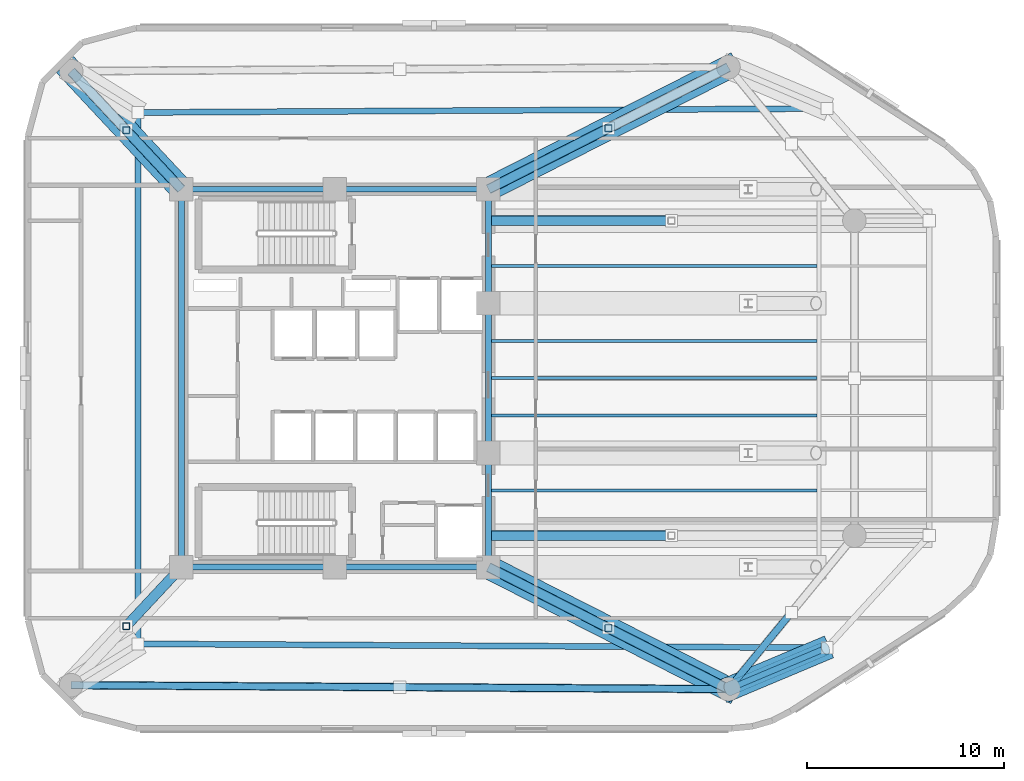
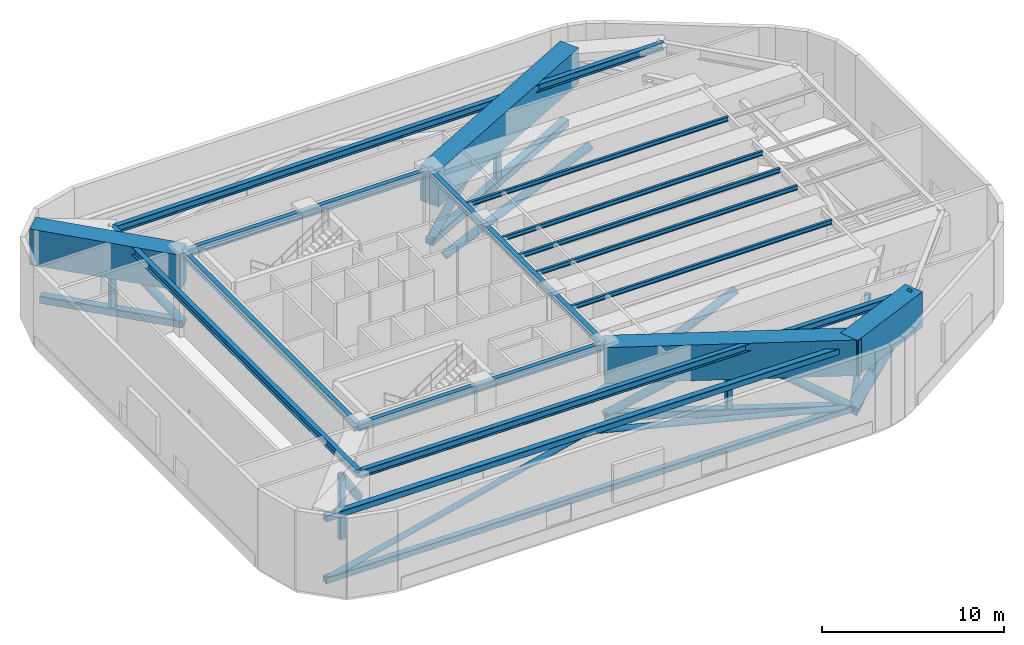
# One storey, part 2 of 9: 20 members, 19 beams.
"""IFC4 building model written with IfcOpenShell, lengths in metres."""

from ifc_helpers import new_model, si_unit, direction, frame, origin, origin_2d, place, context, subcontext, project, spatial, rectangle, hollow_rectangle, hollow_circle, i_section, extrude, material, material_profile, profile_set, type_object, element, save


model = new_model("IFC4")

# Units and contexts
model_context = context("Model", 3, precision=1e-05, world=origin(), true_north=direction((0.0, 1.0)))
body_context = subcontext(model_context, "Body", "Model", "MODEL_VIEW")
ifc_project = project(units=[si_unit("LENGTHUNIT", "METRE"), si_unit("AREAUNIT", "SQUARE_METRE"), si_unit("VOLUMEUNIT", "CUBIC_METRE"), si_unit("PLANEANGLEUNIT", "RADIAN"), si_unit("MASSUNIT", "GRAM", prefix="KILO")], contexts=[model_context])

# Site, building, storey
site_placement = place(None, origin())
site = spatial("IfcSite", under=ifc_project, at=site_placement, CompositionType="ELEMENT")
building_placement = place(site_placement, origin())
building = spatial("IfcBuilding", under=site, at=building_placement, Name="An Khanh Terracotta Commons", CompositionType="ELEMENT")
storey_placement = place(building_placement, frame((0.0, 0.0, 190.60009765625)))
storey = spatial("IfcBuildingStorey", under=building, at=storey_placement, Name="L50", CompositionType="ELEMENT", Elevation=190.60009765625)

# Members
ifc_material_1 = material(Name="Steel S460ML", Category="steel")
ifc_material_profile_1 = material_profile(ifc_material_1, hollow_rectangle(XDim=0.39990234375, YDim=0.39990234375, WallThickness=0.02001953125, InnerFilletRadius=0.02001953125, OuterFilletRadius=0.0400390625, at=origin_2d()), Name="SHS400x400x20")
ifc_profile_set_1 = profile_set([ifc_material_profile_1], Name="Steel S460ML")
member_type_1 = type_object("IfcMemberType", Name="BELT-CHORD-SHS400", PredefinedType="CHORD", material=ifc_profile_set_1)
for number, where, z_axis, x_axis, name in (
    (1, (16.0, 8.39990234375, 0.449951171875), (0.999982080914, -0.005986472262, 0.0), (0.005986472262, 0.999982080914, 0.0), "L50 Belt-Truss Bottom Chord 1"),
    (2, (16.0, 8.39990234375, 4.60986328125), (0.999982080914, -0.005986472262, 0.0), (0.005986472262, 0.999982080914, 0.0), "L50 Belt-Truss Top Chord 1"),
):
    element("IfcMember", number, at=place(storey_placement, frame(where, z_axis=z_axis, x_axis=x_axis)), inside=storey, type_object=member_type_1, Name=name, PredefinedType="CHORD", context=body_context, shape_type="SweptSolid", body=[
        extrude(hollow_rectangle(XDim=0.39990234375, YDim=0.39990234375, WallThickness=0.02001953125, InnerFilletRadius=0.02001953125, OuterFilletRadius=0.0400390625, at=origin_2d()), origin(), (0.0, 0.0, 1.0), 33.400390625),
    ])
ifc_material_profile_2 = material_profile(ifc_material_1, hollow_rectangle(XDim=0.5, YDim=0.5, WallThickness=0.02490234375, InnerFilletRadius=0.02490234375, OuterFilletRadius=0.050048828125, at=origin_2d()), Name="SHS500x500x25")
ifc_profile_set_2 = profile_set([ifc_material_profile_2], Name="Steel S460ML")
member_type_2 = type_object("IfcMemberType", Name="BELT-CHORD-SHS500", PredefinedType="CHORD", material=ifc_profile_set_2)
for number, where, z_axis, x_axis, name in (
    (3, (37.199951171875, 14.39990234375, 0.449951171875), (0.891485893746, -0.453048453537, 0.0), (0.453048453537, 0.891485893746, 0.0), "L50 Outrigger Bottom Chord 2"),
    (4, (37.199951171875, 33.60009765625, 0.449951171875), (0.891485893746, 0.453048453537, 0.0), (-0.453048453537, 0.891485893746, 0.0), "L50 Outrigger Bottom Chord 5"),
):
    element("IfcMember", number, at=place(storey_placement, frame(where, z_axis=z_axis, x_axis=x_axis)), inside=storey, type_object=member_type_2, Name=name, PredefinedType="CHORD", context=body_context, shape_type="SweptSolid", body=[
        extrude(hollow_rectangle(XDim=0.5, YDim=0.5, WallThickness=0.02490234375, InnerFilletRadius=0.02490234375, OuterFilletRadius=0.050048828125, at=origin_2d()), origin(), (0.0, 0.0, 1.0), 13.68505859375),
    ])
member_1_placement = place(storey_placement, frame((21.60009765625, 33.60009765625, 0.449951171875), z_axis=(-0.682324609438, 0.731049333052, 0.0), x_axis=(-0.731049333052, -0.682324609438, 0.0)))
element("IfcMember", 5, at=member_1_placement, inside=storey, type_object=member_type_2, Name="L50 Outrigger Bottom Chord 6", PredefinedType="CHORD", context=body_context, shape_type="SweptSolid", body=[
    extrude(hollow_rectangle(XDim=0.5, YDim=0.5, WallThickness=0.02490234375, InnerFilletRadius=0.02490234375, OuterFilletRadius=0.050048828125, at=origin_2d()), origin(), (0.0, 0.0, 1.0), 8.207275390625),
])
ifc_material_profile_3 = material_profile(ifc_material_1, hollow_circle(Radius=0.177734375, WallThickness=0.01611328125, at=origin_2d()), Name="CHS355.6x16")
ifc_profile_set_3 = profile_set([ifc_material_profile_3], Name="Steel S460ML")
member_type_3 = type_object("IfcMemberType", Name="BELT-DIAG-CHS355", PredefinedType="BRACE", material=ifc_profile_set_3)
for number, where, z_axis, x_axis, name in (
    (6, (16.0, 8.39990234375, 0.449951171875), (0.970331928564, -0.005801876508, 0.241707026458), (0.005979163033, 0.999982124645, 0.0), "L50 Belt-Truss Web Diagonal 1A"),
    (7, (49.39990234375, 8.199951171875, 0.449951171875), (-0.970331848605, 0.005816061546, 0.24170700654), (-0.005993781489, -0.99998203713, 0.0), "L50 Belt-Truss Web Diagonal 1B"),
):
    element("IfcMember", number, at=place(storey_placement, frame(where, z_axis=z_axis, x_axis=x_axis)), inside=storey, type_object=member_type_3, Name=name, PredefinedType="BRACE", context=body_context, shape_type="SweptSolid", body=[
        extrude(hollow_circle(Radius=0.177734375, WallThickness=0.01611328125, at=origin_2d()), origin(), (0.0, 0.0, 1.0), 17.21044921875),
    ])
member_2_placement = place(storey_placement, frame((49.39990234375, 8.199951171875, 0.449951171875), z_axis=(0.489408541079, 0.596452658204, 0.636178832122), x_axis=(-0.773066068812, 0.634325510484, 0.0)))
element("IfcMember", 8, at=member_2_placement, inside=storey, type_object=member_type_3, Name="L50 Belt-Truss Web Diagonal 2A", PredefinedType="BRACE", context=body_context, shape_type="SweptSolid", body=[
    extrude(hollow_circle(Radius=0.177734375, WallThickness=0.01611328125, at=origin_2d()), origin(), (0.0, 0.0, 1.0), 6.538818359375),
])
ifc_material_profile_4 = material_profile(ifc_material_1, hollow_rectangle(XDim=0.35009765625, YDim=0.35009765625, WallThickness=0.01611328125, InnerFilletRadius=0.01611328125, OuterFilletRadius=0.031982421875, at=origin_2d()), Name="SHS350x350x16")
ifc_profile_set_4 = profile_set([ifc_material_profile_4], Name="Steel S460ML")
member_type_4 = type_object("IfcMemberType", Name="BELT-STRUT-SHS350", PredefinedType="STRUT", material=ifc_profile_set_4)
for number, where, z_axis, x_axis, name in (
    (9, (18.800048828125, 11.39990234375, 0.449951171875), (0.0, 0.0, 1.0), (1.0, 0.0, 0.0), "L50 Outrigger Vertical Post 1"),
    (10, (43.300048828125, 11.300048828125, 0.449951171875), (0.0, 0.0, 1.0), (1.0, 0.0, 0.0), "L50 Outrigger Vertical Post 2"),
    (11, (43.300048828125, 36.699951171875, 0.449951171875), (0.0, 0.0, 1.0), (1.0, 0.0, 0.0), "L50 Outrigger Vertical Post 5"),
    (12, (18.800048828125, 36.60009765625, 0.449951171875), (0.0, 0.0, 1.0), (1.0, 0.0, 0.0), "L50 Outrigger Vertical Post 6"),
):
    element("IfcMember", number, at=place(storey_placement, frame(where, z_axis=z_axis, x_axis=x_axis)), inside=storey, type_object=member_type_4, Name=name, PredefinedType="STRUT", context=body_context, shape_type="SweptSolid", body=[
        extrude(hollow_rectangle(XDim=0.35009765625, YDim=0.35009765625, WallThickness=0.01611328125, InnerFilletRadius=0.01611328125, OuterFilletRadius=0.031982421875, at=origin_2d()), origin(), (0.0, 0.0, 1.0), 4.159912109375),
    ])

# Beams
ifc_material_2 = material(Name="Steel S355J2", Category="steel")
ifc_material_profile_5 = material_profile(ifc_material_2, i_section(OverallWidth=0.300048828125, OverallDepth=0.449951171875, WebThickness=0.013916015625, FlangeThickness=0.02587890625, FilletRadius=0.027099609375, at=origin_2d()), Name="HEB450")
ifc_profile_set_5 = profile_set([ifc_material_profile_5], Name="Steel S355J2")
beam_type_1 = type_object("IfcBeamType", Name="BM-HEB450", PredefinedType="BEAM", material=ifc_profile_set_5)
beam_1_placement = place(storey_placement, frame((37.199951171875, 14.39990234375, 5.135009765625), z_axis=(0.0, 1.0, 0.0), x_axis=(-1.0, 0.0, 0.0)))
element("IfcBeam", 13, at=beam_1_placement, inside=storey, type_object=beam_type_1, Name="L50 Core East Coupling Girder 1", PredefinedType="BEAM", context=body_context, shape_type="SweptSolid", body=[
    extrude(i_section(OverallWidth=0.300048828125, OverallDepth=0.449951171875, WebThickness=0.013916015625, FlangeThickness=0.02587890625, FilletRadius=0.027099609375, at=origin_2d()), origin(), (0.0, 0.0, 1.0), 5.800048828125),
])
beam_2_placement = place(storey_placement, frame((37.199951171875, 20.199951171875, 5.135009765625), z_axis=(0.0, 1.0, 0.0), x_axis=(-1.0, 0.0, 0.0)))
element("IfcBeam", 14, at=beam_2_placement, inside=storey, type_object=beam_type_1, Name="L50 Core East Coupling Girder 2", PredefinedType="BEAM", context=body_context, shape_type="SweptSolid", body=[
    extrude(i_section(OverallWidth=0.300048828125, OverallDepth=0.449951171875, WebThickness=0.013916015625, FlangeThickness=0.02587890625, FilletRadius=0.027099609375, at=origin_2d()), origin(), (0.0, 0.0, 1.0), 7.60009765625),
])
beam_3_placement = place(storey_placement, frame((37.199951171875, 27.800048828125, 5.135009765625), z_axis=(0.0, 1.0, 0.0), x_axis=(-1.0, 0.0, 0.0)))
element("IfcBeam", 15, at=beam_3_placement, inside=storey, type_object=beam_type_1, Name="L50 Core East Coupling Girder 3", PredefinedType="BEAM", context=body_context, shape_type="SweptSolid", body=[
    extrude(i_section(OverallWidth=0.300048828125, OverallDepth=0.449951171875, WebThickness=0.013916015625, FlangeThickness=0.02587890625, FilletRadius=0.027099609375, at=origin_2d()), origin(), (0.0, 0.0, 1.0), 5.800048828125),
])
beam_4_placement = place(storey_placement, frame((21.60009765625, 14.39990234375, 5.135009765625), z_axis=(0.0, 1.0, 0.0), x_axis=(-1.0, 0.0, 0.0)))
element("IfcBeam", 16, at=beam_4_placement, inside=storey, type_object=beam_type_1, Name="L50 Core West Coupling Girder", PredefinedType="BEAM", context=body_context, shape_type="SweptSolid", body=[
    extrude(i_section(OverallWidth=0.300048828125, OverallDepth=0.449951171875, WebThickness=0.013916015625, FlangeThickness=0.02587890625, FilletRadius=0.027099609375, at=origin_2d()), origin(), (0.0, 0.0, 1.0), 19.2001953125),
])
ifc_material_profile_6 = material_profile(ifc_material_2, i_section(OverallWidth=0.300048828125, OverallDepth=0.5, WebThickness=0.014404296875, FlangeThickness=0.028076171875, FilletRadius=0.027099609375, at=origin_2d()), Name="HEB500")
ifc_profile_set_6 = profile_set([ifc_material_profile_6], Name="Steel S355J2")
beam_type_2 = type_object("IfcBeamType", Name="BM-HEB500", PredefinedType="BEAM", material=ifc_profile_set_6)
for number, where, z_axis, x_axis, name in (
    (17, (21.60009765625, 14.39990234375, 5.10986328125), (1.0, 0.0, 0.0), (0.0, 1.0, 0.0), "L50 Core South Coupling Girder"),
    (18, (21.60009765625, 33.60009765625, 5.10986328125), (1.0, 0.0, 0.0), (0.0, 1.0, 0.0), "L50 Core North Coupling Girder"),
):
    element("IfcBeam", number, at=place(storey_placement, frame(where, z_axis=z_axis, x_axis=x_axis)), inside=storey, type_object=beam_type_2, Name=name, PredefinedType="BEAM", context=body_context, shape_type="SweptSolid", body=[
        extrude(i_section(OverallWidth=0.300048828125, OverallDepth=0.5, WebThickness=0.014404296875, FlangeThickness=0.028076171875, FilletRadius=0.027099609375, at=origin_2d()), origin(), (0.0, 0.0, 1.0), 15.599853515625),
    ])
for number, where, z_axis, x_axis, name in (
    (19, (19.39990234375, 10.5, 5.10986328125), (0.99998368184, -0.005712797401, 0.0), (0.005712797401, 0.99998368184, 0.0), "L50 Perimeter Ring Spandrel 1"),
    (20, (54.39990234375, 37.699951171875, 5.10986328125), (-0.99998368184, -0.005712797401, 0.0), (0.005712797401, -0.99998368184, 0.0), "L50 Perimeter Ring Spandrel 5"),
):
    element("IfcBeam", number, at=place(storey_placement, frame(where, z_axis=z_axis, x_axis=x_axis)), inside=storey, type_object=beam_type_2, Name=name, PredefinedType="BEAM", context=body_context, shape_type="SweptSolid", body=[
        extrude(i_section(OverallWidth=0.300048828125, OverallDepth=0.5, WebThickness=0.014404296875, FlangeThickness=0.028076171875, FilletRadius=0.027099609375, at=origin_2d()), origin(), (0.0, 0.0, 1.0), 35.00048828125),
    ])
beam_5_placement = place(storey_placement, frame((19.39990234375, 37.5, 5.10986328125), z_axis=(0.0, -1.0, 0.0), x_axis=(1.0, 0.0, 0.0)))
element("IfcBeam", 21, at=beam_5_placement, inside=storey, type_object=beam_type_2, Name="L50 Perimeter Ring Spandrel 6", PredefinedType="BEAM", context=body_context, shape_type="SweptSolid", body=[
    extrude(i_section(OverallWidth=0.300048828125, OverallDepth=0.5, WebThickness=0.014404296875, FlangeThickness=0.028076171875, FilletRadius=0.027099609375, at=origin_2d()), origin(), (0.0, 0.0, 1.0), 27.0),
])
ifc_material_profile_7 = material_profile(ifc_material_2, i_section(OverallWidth=0.300048828125, OverallDepth=0.60009765625, WebThickness=0.015380859375, FlangeThickness=0.030029296875, FilletRadius=0.027099609375, at=origin_2d()), Name="HEB600")
ifc_profile_set_7 = profile_set([ifc_material_profile_7], Name="Steel S355J2")
beam_type_3 = type_object("IfcBeamType", Name="BM-HEB600", PredefinedType="BEAM", material=ifc_profile_set_7)
beam_6_placement = place(storey_placement, frame((49.39990234375, 8.199951171875, 0.0), z_axis=(0.662423609045, 0.27823085376, 0.695544789497), x_axis=(-0.387247791457, 0.921975676475, 0.0)))
element("IfcBeam", 22, at=beam_6_placement, inside=storey, type_object=beam_type_3, Name="L50 Outrigger Lower Column Tie Beam 2", PredefinedType="BEAM", context=body_context, shape_type="SweptSolid", body=[
    extrude(i_section(OverallWidth=0.300048828125, OverallDepth=0.60009765625, WebThickness=0.015380859375, FlangeThickness=0.030029296875, FilletRadius=0.027099609375, at=origin_2d()), origin(), (0.0, 0.0, 1.0), 7.548095703125),
])
ifc_material_profile_8 = material_profile(ifc_material_2, i_section(OverallWidth=0.14990234375, OverallDepth=0.300048828125, WebThickness=0.007080078125, FlangeThickness=0.0107421875, FilletRadius=0.014892578125, at=origin_2d()), Name="IPE300")
ifc_profile_set_8 = profile_set([ifc_material_profile_8], Name="Steel S355J2")
beam_type_4 = type_object("IfcBeamType", Name="BM-IPE300", PredefinedType="JOIST", material=ifc_profile_set_8)
for number, where, z_axis, x_axis, name in (
    (23, (37.199951171875, 18.300048828125, 5.2099609375), (1.0, 0.0, 0.0), (0.0, 1.0, 0.0), "L50 Inboard Composite Joist 2"),
    (24, (37.199951171875, 22.10009765625, 5.2099609375), (1.0, 0.0, 0.0), (0.0, 1.0, 0.0), "L50 Inboard Composite Joist 3"),
    (25, (37.199951171875, 24.0, 5.2099609375), (1.0, 0.0, 0.0), (0.0, 1.0, 0.0), "L50 Inboard Composite Joist 4"),
    (26, (37.199951171875, 25.89990234375, 5.2099609375), (1.0, 0.0, 0.0), (0.0, 1.0, 0.0), "L50 Inboard Composite Joist 5"),
    (27, (37.199951171875, 29.699951171875, 5.2099609375), (1.0, 0.0, 0.0), (0.0, 1.0, 0.0), "L50 Inboard Composite Joist 6"),
):
    element("IfcBeam", number, at=place(storey_placement, frame(where, z_axis=z_axis, x_axis=x_axis)), inside=storey, type_object=beam_type_4, Name=name, PredefinedType="JOIST", context=body_context, shape_type="SweptSolid", body=[
        extrude(i_section(OverallWidth=0.14990234375, OverallDepth=0.300048828125, WebThickness=0.007080078125, FlangeThickness=0.0107421875, FilletRadius=0.014892578125, at=origin_2d()), origin(), (0.0, 0.0, 1.0), 16.699951171875),
    ])
ifc_material_3 = material(Name="Concrete C60/75", Category="concrete")
ifc_material_profile_9 = material_profile(ifc_material_3, rectangle(XDim=1.199951171875, YDim=2.39990234375, at=origin_2d()), Name="RCB1200x2400")
ifc_profile_set_9 = profile_set([ifc_material_profile_9], Name="Concrete C60/75")
beam_type_5 = type_object("IfcBeamType", Name="BM-RCB1200x2400", PredefinedType="BEAM", material=ifc_profile_set_9)
beam_7_placement = place(storey_placement, frame((37.199951171875, 14.39990234375, 4.159912109375), z_axis=(0.891485642464, -0.453048947996, 0.0), x_axis=(0.453048947996, 0.891485642464, 0.0)))
element("IfcBeam", 28, at=beam_7_placement, inside=storey, type_object=beam_type_5, Name="L50 Outrigger Core-to-Mega Transfer Girder 2", PredefinedType="BEAM", context=body_context, shape_type="SweptSolid", body=[
    extrude(rectangle(XDim=1.199951171875, YDim=2.39990234375, at=origin_2d()), origin(), (0.0, 0.0, 1.0), 14.135009765625),
])
beam_8_placement = place(storey_placement, frame((49.076904296875, 8.06396484375, 4.159912109375), z_axis=(0.922002217464, 0.3871845955, 0.0), x_axis=(-0.3871845955, 0.922002217464, 0.0)))
element("IfcBeam", 29, at=beam_8_placement, inside=storey, type_object=beam_type_5, Name="L50 Mega-Column Step-Out Transfer Girder 2", PredefinedType="BEAM", context=body_context, shape_type="SweptSolid", body=[
    extrude(rectangle(XDim=1.199951171875, YDim=2.39990234375, at=origin_2d()), origin(), (0.0, 0.0, 1.0), 5.893798828125),
])
beam_9_placement = place(storey_placement, frame((37.199951171875, 33.60009765625, 4.159912109375), z_axis=(0.891485642464, 0.453048947996, 0.0), x_axis=(-0.453048947996, 0.891485642464, 0.0)))
element("IfcBeam", 30, at=beam_9_placement, inside=storey, type_object=beam_type_5, Name="L50 Outrigger Core-to-Mega Transfer Girder 5", PredefinedType="BEAM", context=body_context, shape_type="SweptSolid", body=[
    extrude(rectangle(XDim=1.199951171875, YDim=2.39990234375, at=origin_2d()), origin(), (0.0, 0.0, 1.0), 14.135009765625),
])
beam_10_placement = place(storey_placement, frame((21.60009765625, 33.60009765625, 4.159912109375), z_axis=(-0.682321264704, 0.731052454843, 0.0), x_axis=(-0.731052454843, -0.682321264704, 0.0)))
element("IfcBeam", 31, at=beam_10_placement, inside=storey, type_object=beam_type_5, Name="L50 Outrigger Core-to-Mega Transfer Girder 6", PredefinedType="BEAM", context=body_context, shape_type="SweptSolid", body=[
    extrude(rectangle(XDim=1.199951171875, YDim=2.39990234375, at=origin_2d()), origin(), (0.0, 0.0, 1.0), 8.6572265625),
])

# Members
ifc_material_profile_10 = material_profile(ifc_material_1, hollow_circle(Radius=0.25390625, WallThickness=0.02490234375, at=origin_2d()), Name="CHS508x25")
ifc_profile_set_10 = profile_set([ifc_material_profile_10], Name="Steel S460ML")
member_type_5 = type_object("IfcMemberType", Name="OUTRIGGER-DIAG-CHS508", PredefinedType="BRACE", material=ifc_profile_set_10)
member_3_placement = place(storey_placement, frame((21.60009765625, 14.39990234375, 0.449951171875), z_axis=(-0.479182712866, -0.513401096495, 0.711901146092), x_axis=(0.731049333052, -0.682324609438, 0.0)))
element("IfcMember", 32, at=member_3_placement, inside=storey, type_object=member_type_5, Name="L50 Outrigger Tie Diagonal 1A", PredefinedType="BRACE", context=body_context, shape_type="SweptSolid", body=[
    extrude(hollow_circle(Radius=0.25390625, WallThickness=0.02490234375, at=origin_2d()), origin(), (0.0, 0.0, 1.0), 5.843505859375),
])
for number, where, z_axis, x_axis, name in (
    (33, (37.199951171875, 14.39990234375, 0.449951171875), (0.761767752427, -0.387103383998, 0.519481338894), (0.453027069876, 0.891496760488, 0.0), "L50 Outrigger Tie Diagonal 2A"),
    (34, (43.300048828125, 11.300048828125, 4.60986328125), (0.761745965171, -0.387138293606, -0.519487272385), (0.453069837272, 0.891475026321, 0.0), "L50 Outrigger Tie Diagonal 2B"),
):
    element("IfcMember", number, at=place(storey_placement, frame(where, z_axis=z_axis, x_axis=x_axis)), inside=storey, type_object=member_type_5, Name=name, PredefinedType="BRACE", context=body_context, shape_type="SweptSolid", body=[
        extrude(hollow_circle(Radius=0.25390625, WallThickness=0.02490234375, at=origin_2d()), origin(), (0.0, 0.0, 1.0), 8.0078125),
    ])
for number, where, z_axis, x_axis, name in (
    (35, (37.199951171875, 16.0, 0.449951171875), (0.912841522523, 0.0, 0.408314039384), (0.0, 1.0, 0.0), "L50 Outrigger Tie Diagonal 3A"),
    (36, (37.199951171875, 32.0, 0.449951171875), (0.912841522523, 0.0, 0.408314039384), (0.0, 1.0, 0.0), "L50 Outrigger Tie Diagonal 4A"),
):
    element("IfcMember", number, at=place(storey_placement, frame(where, z_axis=z_axis, x_axis=x_axis)), inside=storey, type_object=member_type_5, Name=name, PredefinedType="BRACE", context=body_context, shape_type="SweptSolid", body=[
        extrude(hollow_circle(Radius=0.25390625, WallThickness=0.02490234375, at=origin_2d()), origin(), (0.0, 0.0, 1.0), 10.18798828125),
    ])
member_4_placement = place(storey_placement, frame((37.199951171875, 33.60009765625, 0.449951171875), z_axis=(0.761767752427, 0.387103383998, 0.519481338894), x_axis=(-0.453027069876, 0.891496760488, 0.0)))
element("IfcMember", 37, at=member_4_placement, inside=storey, type_object=member_type_5, Name="L50 Outrigger Tie Diagonal 5A", PredefinedType="BRACE", context=body_context, shape_type="SweptSolid", body=[
    extrude(hollow_circle(Radius=0.25390625, WallThickness=0.02490234375, at=origin_2d()), origin(), (0.0, 0.0, 1.0), 8.0078125),
])
member_5_placement = place(storey_placement, frame((21.60009765625, 33.60009765625, 0.449951171875), z_axis=(-0.479182712866, 0.513401096495, 0.711901146092), x_axis=(-0.731049333052, -0.682324609438, 0.0)))
element("IfcMember", 38, at=member_5_placement, inside=storey, type_object=member_type_5, Name="L50 Outrigger Tie Diagonal 6A", PredefinedType="BRACE", context=body_context, shape_type="SweptSolid", body=[
    extrude(hollow_circle(Radius=0.25390625, WallThickness=0.02490234375, at=origin_2d()), origin(), (0.0, 0.0, 1.0), 5.843505859375),
])
ifc_material_profile_11 = material_profile(ifc_material_1, hollow_circle(Radius=0.35546875, WallThickness=0.031982421875, at=origin_2d()), Name="CHS711x32")
ifc_profile_set_11 = profile_set([ifc_material_profile_11], Name="Steel S460ML")
member_type_6 = type_object("IfcMemberType", Name="OUTRIGGER-RAKE-CHS711", PredefinedType="STRUT", material=ifc_profile_set_11)
member_6_placement = place(storey_placement, frame((49.39990234375, 8.199951171875, 0.449951171875), z_axis=(0.757306453863, 0.318093482504, 0.570353812405), x_axis=(-0.387258120175, 0.921971338144, 0.0)))
element("IfcMember", 39, at=member_6_placement, inside=storey, type_object=member_type_6, Name="L50 Zone-Step Raking Outrigger Strut 2", PredefinedType="STRUT", context=body_context, shape_type="SweptSolid", body=[
    extrude(hollow_circle(Radius=0.35546875, WallThickness=0.031982421875, at=origin_2d()), origin(), (0.0, 0.0, 1.0), 6.504638671875),
])

save(model, "model.ifc")
